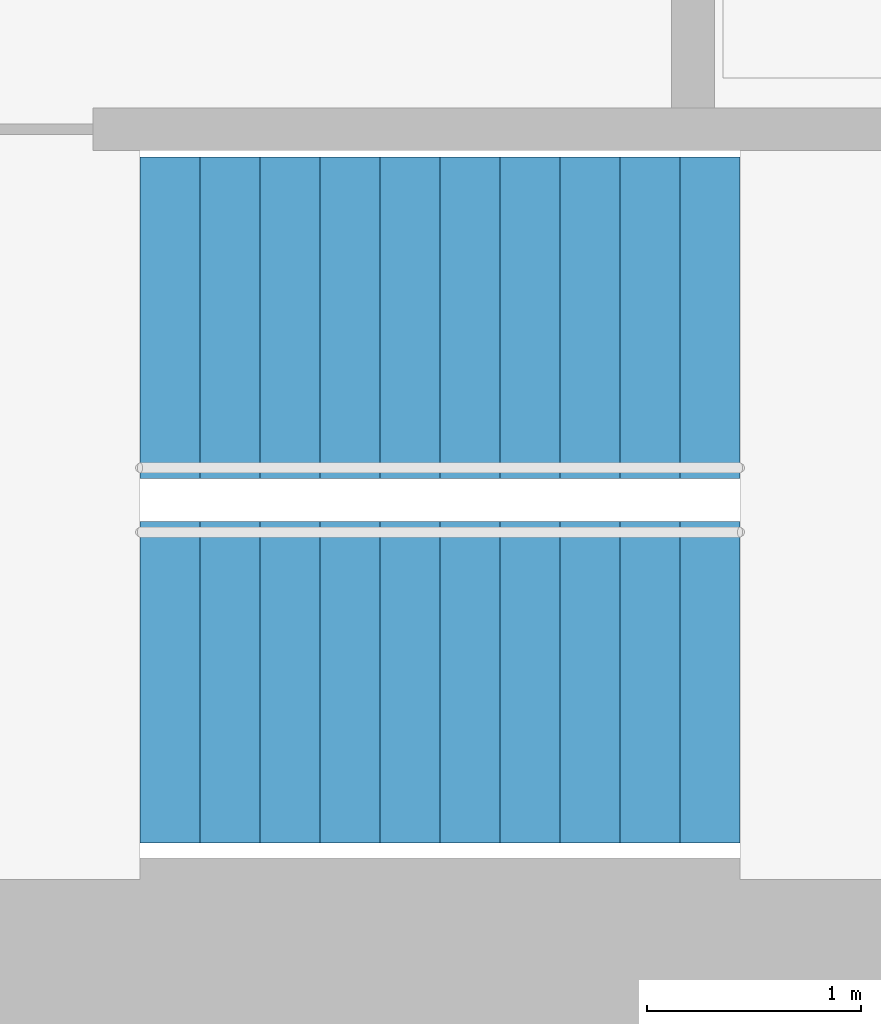
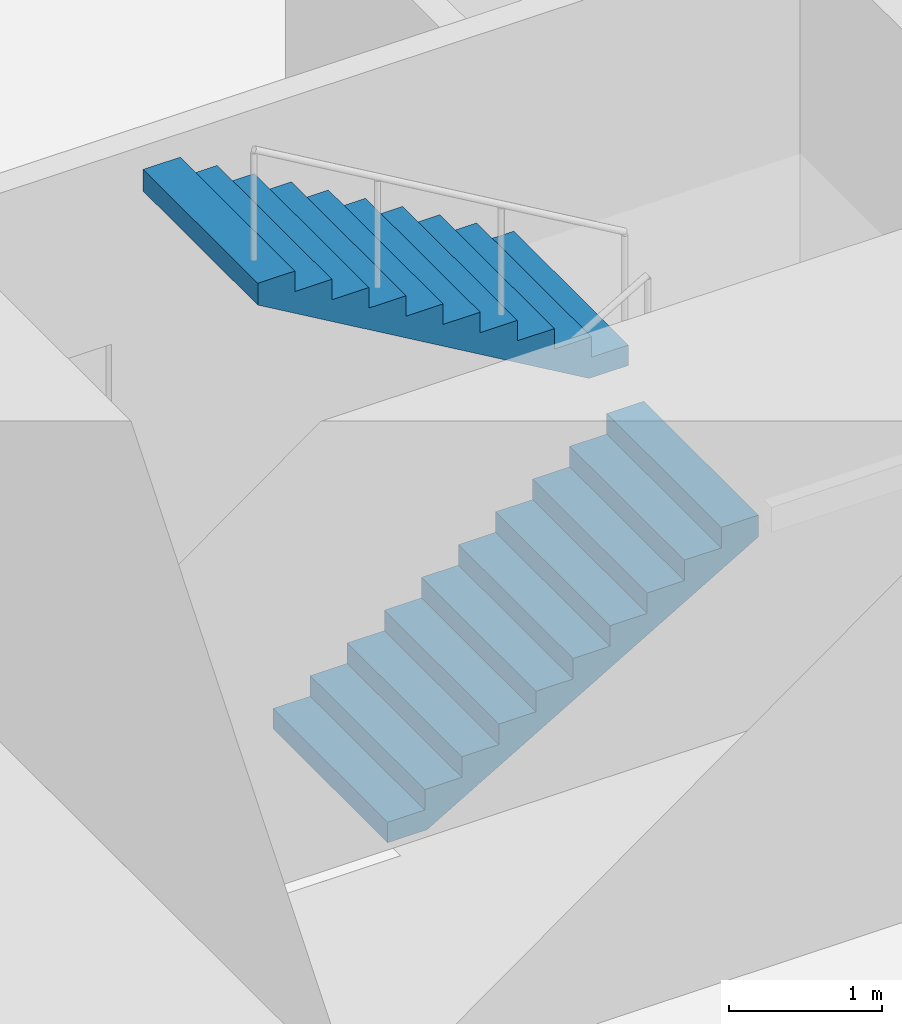
# One storey, part 13 of 15: 2 stair flights, 1 element without a shape of its own.
"""IFC4 building model written with IfcOpenShell, lengths in metres."""

import ifcopenshell
import ifcopenshell.guid

model = None  # the IFC model being written
_history = None  # IfcOwnerHistory: only IFC2X3 demands one
_inside = {}  # id of a spatial element -> (the spatial element, [elements in it])
_under = {}  # id of a project, library or spatial element -> (it, [spatial elements below it])
_declared = {}  # id of a project -> (the project, [libraries it declares])
_typed = {}  # id of a type object -> (the type object, [elements of that type])
_made_of = {}  # id of a material, layer set ... -> (it, [elements and type objects made of it])


def new_model(schema):
    """Start an empty IFC model of exactly this schema.

    Asked for "IFC4X3", IfcOpenShell would pick the latest addendum, in which some entities
    have other attributes; the version numbers below select the first issue.
    IFC2X3 requires an IfcOwnerHistory on every rooted entity: one is made here for all.
    """
    global model, _history
    if schema == "IFC4X3":
        model = ifcopenshell.file(schema_version=(4, 3, 0, 0))
    else:
        model = ifcopenshell.file(schema=schema)
    _inside.clear()
    _under.clear()
    _declared.clear()
    _typed.clear()
    _made_of.clear()
    _history = None
    if model.schema == "IFC2X3":
        org = make("IfcOrganization", Name="unknown")
        user = make(
            "IfcPersonAndOrganization",
            ThePerson=make("IfcPerson", FamilyName="unknown"),
            TheOrganization=org,
        )
        app = make(
            "IfcApplication",
            ApplicationDeveloper=org,
            Version="unknown",
            ApplicationFullName="unknown",
            ApplicationIdentifier="unknown",
        )
        _history = make(
            "IfcOwnerHistory",
            OwningUser=user,
            OwningApplication=app,
            ChangeAction="ADDED",
            CreationDate=0,
        )
    return model


def make(cls, **values):
    """One entity of the class cls with the attributes given. An attribute that is None is left unset."""
    return model.create_entity(
        cls, **{name: value for name, value in values.items() if value is not None}
    )


def rooted(cls, **values):
    """An entity with a GlobalId (a new one), such as an element, a storey or a relation."""
    return make(cls, GlobalId=ifcopenshell.guid.new(), OwnerHistory=_history, **values)


def si_unit(unit_type, name, prefix=None):
    """IfcSIUnit, for example si_unit("LENGTHUNIT", "METRE", prefix="MILLI")."""
    return make("IfcSIUnit", UnitType=unit_type, Prefix=prefix, Name=name)


def assignment(units):
    """IfcUnitAssignment: the units of a project."""
    return None if units is None else make("IfcUnitAssignment", Units=units)


def point(xyz):
    """IfcCartesianPoint."""
    return None if xyz is None else make("IfcCartesianPoint", Coordinates=xyz)


def direction(xyz):
    """IfcDirection."""
    return None if xyz is None else make("IfcDirection", DirectionRatios=xyz)


def frame(location, z_axis=None, x_axis=None):
    """IfcAxis2Placement3D, a coordinate frame: its origin and axes. An axis left out is left unset."""
    return make(
        "IfcAxis2Placement3D",
        Location=point(location),
        Axis=direction(z_axis),
        RefDirection=direction(x_axis),
    )


def origin():
    """The frame at (0, 0, 0) with its axes left unset."""
    return frame((0.0, 0.0, 0.0))


def place(relative_to, where):
    """IfcLocalPlacement: puts the frame where relative to a parent placement (None: the world)."""
    return make(
        "IfcLocalPlacement", PlacementRelTo=relative_to, RelativePlacement=where
    )


def context(
    kind, dimensions, precision=None, world=None, true_north=None, identifier=None
):
    """IfcGeometricRepresentationContext, for example the 3D "Model" context."""
    return make(
        "IfcGeometricRepresentationContext",
        ContextIdentifier=identifier,
        ContextType=kind,
        CoordinateSpaceDimension=dimensions,
        Precision=precision,
        WorldCoordinateSystem=world,
        TrueNorth=true_north,
    )


def subcontext(parent, identifier, kind, view, scale=None):
    """IfcGeometricRepresentationSubContext, for example "Body" below "Model"."""
    return make(
        "IfcGeometricRepresentationSubContext",
        ContextIdentifier=identifier,
        ContextType=kind,
        ParentContext=parent,
        TargetScale=scale,
        TargetView=view,
    )


def project(units=None, contexts=None):
    """IfcProject with its units and contexts."""
    return rooted(
        "IfcProject",
        Name="project",
        RepresentationContexts=contexts,
        UnitsInContext=assignment(units),
    )


def spatial(cls, under=None, at=None, **own):
    """A site, building, storey or space (cls), placed at a placement, below another one or the project."""
    s = rooted(cls, ObjectPlacement=at, **own)
    if under is not None:
        _under.setdefault(under.id(), (under, []))[1].append(s)
    return s


def point_list(points):
    """IfcCartesianPointList2D or 3D."""
    cls = (
        "IfcCartesianPointList2D" if len(points[0]) == 2 else "IfcCartesianPointList3D"
    )
    return make(cls, CoordList=points)


def triangles(points, corners, closed=None, point_numbers=None):
    """IfcTriangulatedFaceSet: each triangle names its three corners, points numbered from 1."""
    return make(
        "IfcTriangulatedFaceSet",
        Coordinates=point_list(points),
        Closed=closed,
        CoordIndex=corners,
        PnIndex=point_numbers,
    )


def shape(context_of_items, identifier, shape_type, items):
    """IfcShapeRepresentation: the items that make up one representation, for example the "Body"."""
    return make(
        "IfcShapeRepresentation",
        ContextOfItems=context_of_items,
        RepresentationIdentifier=identifier,
        RepresentationType=shape_type,
        Items=items,
    )


def material(Name=None, Category=None):
    """IfcMaterial."""
    return make("IfcMaterial", Name=Name, Category=Category)


def made_of(thing, what):
    """Note that an element or type object is made of a material, layer set ...; save() writes the relation."""
    if what is not None:
        _made_of.setdefault(what.id(), (what, []))[1].append(thing)
    return thing


def type_object(cls, material=None, **own):
    """A type object (cls), such as IfcWallType, which elements share."""
    return made_of(rooted(cls, **own), material)


def element(
    cls,
    number,
    at=None,
    inside=None,
    cuts=None,
    type_object=None,
    material=None,
    context=None,
    identifier="Body",
    shape_type=None,
    held_by="IfcProductDefinitionShape",
    body=None,
    shapes=None,
    **own,
):
    """One element of the class cls, such as IfcWall. Its Tag is "e" and its number.

    at: its placement. inside: the storey or other place that contains it. cuts: it is an
    opening in that element (IfcRelVoidsElement). A single representation is given by context,
    identifier, shape_type and body (its items); several are given by shapes. held_by: the class
    of the entity that holds the representations. save() writes the other relations.
    """
    e = rooted(cls, Tag="e%d" % number, ObjectPlacement=at, **own)
    if body is not None:
        shapes = [shape(context, identifier, shape_type, body)]
    if shapes is not None:
        e.Representation = make(held_by, Representations=shapes)
    if inside is not None:
        _inside.setdefault(inside.id(), (inside, []))[1].append(e)
    if cuts is not None:
        rooted(
            "IfcRelVoidsElement", RelatingBuildingElement=cuts, RelatedOpeningElement=e
        )
    if type_object is not None:
        _typed.setdefault(type_object.id(), (type_object, []))[1].append(e)
    return made_of(e, material)


def aggregate(whole, parts):
    """IfcRelAggregates: a whole, such as a stair, and the parts it consists of."""
    return rooted("IfcRelAggregates", RelatingObject=whole, RelatedObjects=parts)


def save(model, path):
    """Write the relations noted so far, then the file.

    IfcRelAggregates (storeys below a building ...), IfcRelContainedInSpatialStructure (elements
    in a storey), IfcRelDefinesByType, IfcRelAssociatesMaterial and IfcRelDeclares: one each for
    every whole, place, type object, material and project.
    """
    for whole, parts in _under.values():
        aggregate(whole, parts)
    for where, things in _inside.values():
        rooted(
            "IfcRelContainedInSpatialStructure",
            RelatedElements=things,
            RelatingStructure=where,
        )
    for kind, things in _typed.values():
        rooted("IfcRelDefinesByType", RelatedObjects=things, RelatingType=kind)
    for what, things in _made_of.values():
        rooted("IfcRelAssociatesMaterial", RelatedObjects=things, RelatingMaterial=what)
    for by, libraries in _declared.values():
        rooted("IfcRelDeclares", RelatingContext=by, RelatedDefinitions=libraries)
    model.write(path)


model = new_model("IFC4")

# Units and contexts
model_context = context("Model", 3, precision=1e-05, world=origin(), true_north=direction((0.0, 1.0)))
body_context = subcontext(model_context, "Body", "Model", "MODEL_VIEW")
ifc_project = project(units=[si_unit("LENGTHUNIT", "METRE"), si_unit("AREAUNIT", "SQUARE_METRE"), si_unit("VOLUMEUNIT", "CUBIC_METRE"), si_unit("PLANEANGLEUNIT", "RADIAN"), si_unit("MASSUNIT", "GRAM", prefix="KILO")], contexts=[model_context])

# Site, building, storey
site_placement = place(None, origin())
site = spatial("IfcSite", under=ifc_project, at=site_placement, CompositionType="ELEMENT")
building_placement = place(site_placement, origin())
building = spatial("IfcBuilding", under=site, at=building_placement, Name="Lantaw Convention Tower", CompositionType="ELEMENT")
storey_placement = place(building_placement, frame((0.0, 0.0, 83.800048828125)))
storey = spatial("IfcBuildingStorey", under=building, at=storey_placement, Name="L19", CompositionType="ELEMENT", Elevation=83.800048828125)

# Stair, stair flights
ifc_material = material(Name="Concrete C35/45", Category="concrete")
stair_type = type_object("IfcStairType", Name="Exit stair 1500 riser 163.64 in 2 flights", PredefinedType="HALF_TURN_STAIR", material=ifc_material)
stair_placement = place(storey_placement, origin())
stair = element("IfcStair", 1, at=stair_placement, inside=storey, type_object=stair_type, Name="Exit stair S1 L19", PredefinedType="HALF_TURN_STAIR")
stair_flight_type = type_object("IfcStairFlightType", Name="Stair flight 1500 riser 163.64", PredefinedType="STRAIGHT", material=ifc_material)
stair_flight_1_placement = place(storey_placement, frame((-10.580078125, -5.97998046875, 0.0), z_axis=(0.0, 0.0, 1.0), x_axis=(1.0, 0.0, 0.0)))
stair_flight_1 = element("IfcStairFlight", 2, at=stair_flight_1_placement, type_object=stair_flight_type, Name="S1 flight 1", NumberOfRisers=11, NumberOfTreads=10, PredefinedType="STRAIGHT", RiserHeight=0.163636364, TreadLength=0.28, context=body_context, shape_type="Tessellation", body=[
    triangles([(0.0, 0.75, 0.0), (0.0, 0.75, 0.163636364), (0.28, 0.75, 0.0), (0.28, 0.75, 0.163636364), (0.28, 0.75, 0.327272728), (0.2970904571225277, 0.75, 0.0), (0.2970904571225277, 0.75, 0.327272728), (0.56, 0.75, 0.1536484344906131), (0.56, 0.75, 0.327272728), (0.56, 0.75, 0.490909092), (0.8400000000000001, 0.75, 0.3172847984906131), (0.8400000000000001, 0.75, 0.490909092), (0.8400000000000001, 0.75, 0.654545456), (1.12, 0.75, 0.4809211624906131), (1.12, 0.75, 0.654545456), (1.12, 0.75, 0.8181818200000001), (1.4000000000000001, 0.75, 0.6445575264906132), (1.4000000000000001, 0.75, 0.8181818200000001), (1.4000000000000001, 0.75, 0.981818184), (1.6800000000000002, 0.75, 0.8081938904906131), (1.6800000000000002, 0.75, 0.981818184), (1.6800000000000002, 0.75, 1.145454548), (1.9600000000000002, 0.75, 0.9718302544906131), (1.9600000000000002, 0.75, 1.145454548), (1.9600000000000002, 0.75, 1.309090912), (2.24, 0.75, 1.135466618490613), (2.24, 0.75, 1.309090912), (2.24, 0.75, 1.472727276), (2.5200000000000005, 0.75, 1.2991029824906133), (2.5200000000000005, 0.75, 1.472727276), (2.5200000000000005, 0.75, 1.6363636400000001), (2.8000000000000003, 0.75, 1.462739346490613), (2.8000000000000003, 0.75, 1.6363636400000001), (0.0, -0.75, 0.0), (0.0, -0.75, 0.163636364), (0.28, -0.75, 0.0), (0.28, -0.75, 0.163636364), (0.28, -0.75, 0.327272728), (0.2970904571225277, -0.75, 0.0), (0.2970904571225277, -0.75, 0.327272728), (0.56, -0.75, 0.1536484344906131), (0.56, -0.75, 0.327272728), (0.56, -0.75, 0.490909092), (0.8400000000000001, -0.75, 0.3172847984906131), (0.8400000000000001, -0.75, 0.490909092), (0.8400000000000001, -0.75, 0.654545456), (1.12, -0.75, 0.4809211624906131), (1.12, -0.75, 0.654545456), (1.12, -0.75, 0.8181818200000001), (1.4000000000000001, -0.75, 0.6445575264906132), (1.4000000000000001, -0.75, 0.8181818200000001), (1.4000000000000001, -0.75, 0.981818184), (1.6800000000000002, -0.75, 0.8081938904906131), (1.6800000000000002, -0.75, 0.981818184), (1.6800000000000002, -0.75, 1.145454548), (1.9600000000000002, -0.75, 0.9718302544906131), (1.9600000000000002, -0.75, 1.145454548), (1.9600000000000002, -0.75, 1.309090912), (2.24, -0.75, 1.135466618490613), (2.24, -0.75, 1.309090912), (2.24, -0.75, 1.472727276), (2.5200000000000005, -0.75, 1.2991029824906133), (2.5200000000000005, -0.75, 1.472727276), (2.5200000000000005, -0.75, 1.6363636400000001), (2.8000000000000003, -0.75, 1.462739346490613), (2.8000000000000003, -0.75, 1.6363636400000001), (0.0, 0.15000000000000002, 0.163636364), (0.0, 0.15000000000000002, 0.0), (0.0, 0.0, 0.163636364), (0.0, 0.0, 0.0), (0.0, -0.15000000000000002, 0.163636364), (0.0, -0.15000000000000002, 0.0), (0.28, 0.15000000000000002, 0.327272728), (0.28, 0.15000000000000002, 0.163636364), (0.28, 0.0, 0.327272728), (0.28, 0.0, 0.163636364), (0.28, -0.15000000000000002, 0.327272728), (0.28, -0.15000000000000002, 0.163636364), (0.56, 0.15000000000000002, 0.490909092), (0.56, 0.15000000000000002, 0.327272728), (0.56, 0.0, 0.490909092), (0.56, 0.0, 0.327272728), (0.56, -0.15000000000000002, 0.490909092), (0.56, -0.15000000000000002, 0.327272728), (0.8400000000000001, 0.15000000000000002, 0.654545456), (0.8400000000000001, 0.15000000000000002, 0.490909092), (0.8400000000000001, 0.0, 0.654545456), (0.8400000000000001, 0.0, 0.490909092), (0.8400000000000001, -0.15000000000000002, 0.654545456), (0.8400000000000001, -0.15000000000000002, 0.490909092), (1.12, 0.15000000000000002, 0.8181818200000001), (1.12, 0.15000000000000002, 0.654545456), (1.12, 0.0, 0.8181818200000001), (1.12, 0.0, 0.654545456), (1.12, -0.15000000000000002, 0.8181818200000001), (1.12, -0.15000000000000002, 0.654545456), (1.4000000000000001, 0.15000000000000002, 0.981818184), (1.4000000000000001, 0.15000000000000002, 0.8181818200000001), (1.4000000000000001, 0.0, 0.981818184), (1.4000000000000001, 0.0, 0.8181818200000001), (1.4000000000000001, -0.15000000000000002, 0.981818184), (1.4000000000000001, -0.15000000000000002, 0.8181818200000001), (1.6800000000000002, 0.15000000000000002, 1.145454548), (1.6800000000000002, 0.15000000000000002, 0.981818184), (1.6800000000000002, 0.0, 1.145454548), (1.6800000000000002, 0.0, 0.981818184), (1.6800000000000002, -0.15000000000000002, 1.145454548), (1.6800000000000002, -0.15000000000000002, 0.981818184), (1.9600000000000002, 0.15000000000000002, 1.309090912), (1.9600000000000002, 0.15000000000000002, 1.145454548), (1.9600000000000002, 0.0, 1.309090912), (1.9600000000000002, 0.0, 1.145454548), (1.9600000000000002, -0.15000000000000002, 1.309090912), (1.9600000000000002, -0.15000000000000002, 1.145454548), (2.24, 0.15000000000000002, 1.472727276), (2.24, 0.15000000000000002, 1.309090912), (2.24, 0.0, 1.472727276), (2.24, 0.0, 1.309090912), (2.24, -0.15000000000000002, 1.472727276), (2.24, -0.15000000000000002, 1.309090912), (2.5200000000000005, 0.15000000000000002, 1.6363636400000001), (2.5200000000000005, 0.15000000000000002, 1.472727276), (2.5200000000000005, 0.0, 1.6363636400000001), (2.5200000000000005, 0.0, 1.472727276), (2.5200000000000005, -0.15000000000000002, 1.6363636400000001), (2.5200000000000005, -0.15000000000000002, 1.472727276), (0.2970904571225277, 0.15000000000000002, 0.327272728), (0.2970904571225277, 0.0, 0.327272728), (0.2970904571225277, -0.15000000000000002, 0.327272728), (2.8000000000000003, 0.15000000000000002, 1.6363636400000001), (2.8000000000000003, 0.0, 1.6363636400000001), (2.8000000000000003, -0.15000000000000002, 1.6363636400000001), (2.8000000000000003, 0.15000000000000002, 1.462739346490613), (2.8000000000000003, 0.0, 1.462739346490613), (2.8000000000000003, -0.15000000000000002, 1.462739346490613), (2.5200000000000005, 0.15000000000000002, 1.2991029824906133), (2.5200000000000005, 0.0, 1.2991029824906133), (2.5200000000000005, -0.15000000000000002, 1.2991029824906133), (2.24, 0.15000000000000002, 1.135466618490613), (2.24, 0.0, 1.135466618490613), (2.24, -0.15000000000000002, 1.135466618490613), (1.9600000000000002, 0.15000000000000002, 0.9718302544906131), (1.9600000000000002, 0.0, 0.9718302544906131), (1.9600000000000002, -0.15000000000000002, 0.9718302544906131), (1.6800000000000002, 0.15000000000000002, 0.8081938904906131), (1.6800000000000002, 0.0, 0.8081938904906131), (1.6800000000000002, -0.15000000000000002, 0.8081938904906131), (1.4000000000000001, 0.15000000000000002, 0.6445575264906132), (1.4000000000000001, 0.0, 0.6445575264906132), (1.4000000000000001, -0.15000000000000002, 0.6445575264906132), (1.12, 0.15000000000000002, 0.4809211624906131), (1.12, 0.0, 0.4809211624906131), (1.12, -0.15000000000000002, 0.4809211624906131), (0.8400000000000001, 0.15000000000000002, 0.3172847984906131), (0.8400000000000001, 0.0, 0.3172847984906131), (0.8400000000000001, -0.15000000000000002, 0.3172847984906131), (0.56, 0.15000000000000002, 0.1536484344906131), (0.56, 0.0, 0.1536484344906131), (0.56, -0.15000000000000002, 0.1536484344906131), (0.2970904571225277, 0.15000000000000002, 0.0), (0.2970904571225277, 0.0, 0.0), (0.2970904571225277, -0.15000000000000002, 0.0), (0.28, 0.15000000000000002, 0.0), (0.28, 0.0, 0.0), (0.28, -0.15000000000000002, 0.0)], [[1, 4, 3], [1, 2, 4], [3, 4, 6], [4, 7, 6], [4, 5, 7], [6, 9, 8], [6, 7, 9], [8, 9, 11], [9, 12, 11], [9, 10, 12], [11, 12, 14], [12, 15, 14], [12, 13, 15], [14, 15, 17], [15, 18, 17], [15, 16, 18], [17, 18, 20], [18, 21, 20], [18, 19, 21], [20, 21, 23], [21, 24, 23], [21, 22, 24], [23, 24, 26], [24, 27, 26], [24, 25, 27], [26, 27, 29], [27, 30, 29], [27, 28, 30], [29, 30, 32], [30, 33, 32], [30, 31, 33], [34, 36, 37], [34, 37, 35], [36, 39, 37], [37, 39, 40], [37, 40, 38], [39, 41, 42], [39, 42, 40], [41, 44, 42], [42, 44, 45], [42, 45, 43], [44, 47, 45], [45, 47, 48], [45, 48, 46], [47, 50, 48], [48, 50, 51], [48, 51, 49], [50, 53, 51], [51, 53, 54], [51, 54, 52], [53, 56, 54], [54, 56, 57], [54, 57, 55], [56, 59, 57], [57, 59, 60], [57, 60, 58], [59, 62, 60], [60, 62, 63], [60, 63, 61], [62, 65, 63], [63, 65, 66], [63, 66, 64], [1, 67, 2], [1, 68, 67], [68, 69, 67], [68, 70, 69], [70, 71, 69], [70, 72, 71], [72, 35, 71], [72, 34, 35], [4, 73, 5], [4, 74, 73], [74, 75, 73], [74, 76, 75], [76, 77, 75], [76, 78, 77], [78, 38, 77], [78, 37, 38], [9, 79, 10], [9, 80, 79], [80, 81, 79], [80, 82, 81], [82, 83, 81], [82, 84, 83], [84, 43, 83], [84, 42, 43], [12, 85, 13], [12, 86, 85], [86, 87, 85], [86, 88, 87], [88, 89, 87], [88, 90, 89], [90, 46, 89], [90, 45, 46], [15, 91, 16], [15, 92, 91], [92, 93, 91], [92, 94, 93], [94, 95, 93], [94, 96, 95], [96, 49, 95], [96, 48, 49], [18, 97, 19], [18, 98, 97], [98, 99, 97], [98, 100, 99], [100, 101, 99], [100, 102, 101], [102, 52, 101], [102, 51, 52], [21, 103, 22], [21, 104, 103], [104, 105, 103], [104, 106, 105], [106, 107, 105], [106, 108, 107], [108, 55, 107], [108, 54, 55], [24, 109, 25], [24, 110, 109], [110, 111, 109], [110, 112, 111], [112, 113, 111], [112, 114, 113], [114, 58, 113], [114, 57, 58], [27, 115, 28], [27, 116, 115], [116, 117, 115], [116, 118, 117], [118, 119, 117], [118, 120, 119], [120, 61, 119], [120, 60, 61], [30, 121, 31], [30, 122, 121], [122, 123, 121], [122, 124, 123], [124, 125, 123], [124, 126, 125], [126, 64, 125], [126, 63, 64], [2, 74, 4], [2, 67, 74], [67, 76, 74], [67, 69, 76], [69, 78, 76], [69, 71, 78], [71, 37, 78], [71, 35, 37], [5, 127, 7], [5, 73, 127], [73, 128, 127], [73, 75, 128], [75, 129, 128], [75, 77, 129], [77, 40, 129], [77, 38, 40], [7, 80, 9], [7, 127, 80], [127, 82, 80], [127, 128, 82], [128, 84, 82], [128, 129, 84], [129, 42, 84], [129, 40, 42], [10, 86, 12], [10, 79, 86], [79, 88, 86], [79, 81, 88], [81, 90, 88], [81, 83, 90], [83, 45, 90], [83, 43, 45], [13, 92, 15], [13, 85, 92], [85, 94, 92], [85, 87, 94], [87, 96, 94], [87, 89, 96], [89, 48, 96], [89, 46, 48], [16, 98, 18], [16, 91, 98], [91, 100, 98], [91, 93, 100], [93, 102, 100], [93, 95, 102], [95, 51, 102], [95, 49, 51], [19, 104, 21], [19, 97, 104], [97, 106, 104], [97, 99, 106], [99, 108, 106], [99, 101, 108], [101, 54, 108], [101, 52, 54], [22, 110, 24], [22, 103, 110], [103, 112, 110], [103, 105, 112], [105, 114, 112], [105, 107, 114], [107, 57, 114], [107, 55, 57], [25, 116, 27], [25, 109, 116], [109, 118, 116], [109, 111, 118], [111, 120, 118], [111, 113, 120], [113, 60, 120], [113, 58, 60], [28, 122, 30], [28, 115, 122], [115, 124, 122], [115, 117, 124], [117, 126, 124], [117, 119, 126], [119, 63, 126], [119, 61, 63], [31, 130, 33], [31, 121, 130], [121, 131, 130], [121, 123, 131], [123, 132, 131], [123, 125, 132], [125, 66, 132], [125, 64, 66], [33, 133, 32], [33, 130, 133], [130, 134, 133], [130, 131, 134], [131, 135, 134], [131, 132, 135], [132, 65, 135], [132, 66, 65], [32, 136, 29], [32, 133, 136], [133, 137, 136], [133, 134, 137], [134, 138, 137], [134, 135, 138], [135, 62, 138], [135, 65, 62], [29, 139, 26], [29, 136, 139], [136, 140, 139], [136, 137, 140], [137, 141, 140], [137, 138, 141], [138, 59, 141], [138, 62, 59], [26, 142, 23], [26, 139, 142], [139, 143, 142], [139, 140, 143], [140, 144, 143], [140, 141, 144], [141, 56, 144], [141, 59, 56], [23, 145, 20], [23, 142, 145], [142, 146, 145], [142, 143, 146], [143, 147, 146], [143, 144, 147], [144, 53, 147], [144, 56, 53], [20, 148, 17], [20, 145, 148], [145, 149, 148], [145, 146, 149], [146, 150, 149], [146, 147, 150], [147, 50, 150], [147, 53, 50], [17, 151, 14], [17, 148, 151], [148, 152, 151], [148, 149, 152], [149, 153, 152], [149, 150, 153], [150, 47, 153], [150, 50, 47], [14, 154, 11], [14, 151, 154], [151, 155, 154], [151, 152, 155], [152, 156, 155], [152, 153, 156], [153, 44, 156], [153, 47, 44], [11, 157, 8], [11, 154, 157], [154, 158, 157], [154, 155, 158], [155, 159, 158], [155, 156, 159], [156, 41, 159], [156, 44, 41], [8, 160, 6], [8, 157, 160], [157, 161, 160], [157, 158, 161], [158, 162, 161], [158, 159, 162], [159, 39, 162], [159, 41, 39], [6, 163, 3], [6, 160, 163], [160, 164, 163], [160, 161, 164], [161, 165, 164], [161, 162, 165], [162, 36, 165], [162, 39, 36], [3, 68, 1], [3, 163, 68], [163, 70, 68], [163, 164, 70], [164, 72, 70], [164, 165, 72], [165, 34, 72], [165, 36, 34]], closed=True),
])
stair_flight_2_placement = place(storey_placement, frame((-7.780029296875, -4.280029296875, 1.800048828125), z_axis=(0.0, 0.0, 1.0), x_axis=(-1.0, 0.0, 0.0)))
stair_flight_2 = element("IfcStairFlight", 3, at=stair_flight_2_placement, type_object=stair_flight_type, Name="S1 flight 2", NumberOfRisers=11, NumberOfTreads=10, PredefinedType="STRAIGHT", RiserHeight=0.163636364, TreadLength=0.28, context=body_context, shape_type="Tessellation", body=[
    triangles([(0.0, 0.75, 0.0), (0.0, 0.75, 0.163636364), (0.28, 0.75, 0.0), (0.28, 0.75, 0.163636364), (0.28, 0.75, 0.327272728), (0.2970904571225277, 0.75, 0.0), (0.2970904571225277, 0.75, 0.327272728), (0.56, 0.75, 0.1536484344906131), (0.56, 0.75, 0.327272728), (0.56, 0.75, 0.490909092), (0.8400000000000001, 0.75, 0.3172847984906131), (0.8400000000000001, 0.75, 0.490909092), (0.8400000000000001, 0.75, 0.654545456), (1.12, 0.75, 0.4809211624906131), (1.12, 0.75, 0.654545456), (1.12, 0.75, 0.8181818200000001), (1.4000000000000001, 0.75, 0.6445575264906132), (1.4000000000000001, 0.75, 0.8181818200000001), (1.4000000000000001, 0.75, 0.981818184), (1.6800000000000002, 0.75, 0.8081938904906131), (1.6800000000000002, 0.75, 0.981818184), (1.6800000000000002, 0.75, 1.145454548), (1.9600000000000002, 0.75, 0.9718302544906131), (1.9600000000000002, 0.75, 1.145454548), (1.9600000000000002, 0.75, 1.309090912), (2.24, 0.75, 1.135466618490613), (2.24, 0.75, 1.309090912), (2.24, 0.75, 1.472727276), (2.5200000000000005, 0.75, 1.2991029824906133), (2.5200000000000005, 0.75, 1.472727276), (2.5200000000000005, 0.75, 1.6363636400000001), (2.8000000000000003, 0.75, 1.462739346490613), (2.8000000000000003, 0.75, 1.6363636400000001), (0.0, -0.75, 0.0), (0.0, -0.75, 0.163636364), (0.28, -0.75, 0.0), (0.28, -0.75, 0.163636364), (0.28, -0.75, 0.327272728), (0.2970904571225277, -0.75, 0.0), (0.2970904571225277, -0.75, 0.327272728), (0.56, -0.75, 0.1536484344906131), (0.56, -0.75, 0.327272728), (0.56, -0.75, 0.490909092), (0.8400000000000001, -0.75, 0.3172847984906131), (0.8400000000000001, -0.75, 0.490909092), (0.8400000000000001, -0.75, 0.654545456), (1.12, -0.75, 0.4809211624906131), (1.12, -0.75, 0.654545456), (1.12, -0.75, 0.8181818200000001), (1.4000000000000001, -0.75, 0.6445575264906132), (1.4000000000000001, -0.75, 0.8181818200000001), (1.4000000000000001, -0.75, 0.981818184), (1.6800000000000002, -0.75, 0.8081938904906131), (1.6800000000000002, -0.75, 0.981818184), (1.6800000000000002, -0.75, 1.145454548), (1.9600000000000002, -0.75, 0.9718302544906131), (1.9600000000000002, -0.75, 1.145454548), (1.9600000000000002, -0.75, 1.309090912), (2.24, -0.75, 1.135466618490613), (2.24, -0.75, 1.309090912), (2.24, -0.75, 1.472727276), (2.5200000000000005, -0.75, 1.2991029824906133), (2.5200000000000005, -0.75, 1.472727276), (2.5200000000000005, -0.75, 1.6363636400000001), (2.8000000000000003, -0.75, 1.462739346490613), (2.8000000000000003, -0.75, 1.6363636400000001), (0.0, 0.15000000000000002, 0.163636364), (0.0, 0.15000000000000002, 0.0), (0.0, 0.0, 0.163636364), (0.0, 0.0, 0.0), (0.0, -0.15000000000000002, 0.163636364), (0.0, -0.15000000000000002, 0.0), (0.28, 0.15000000000000002, 0.327272728), (0.28, 0.15000000000000002, 0.163636364), (0.28, 0.0, 0.327272728), (0.28, 0.0, 0.163636364), (0.28, -0.15000000000000002, 0.327272728), (0.28, -0.15000000000000002, 0.163636364), (0.56, 0.15000000000000002, 0.490909092), (0.56, 0.15000000000000002, 0.327272728), (0.56, 0.0, 0.490909092), (0.56, 0.0, 0.327272728), (0.56, -0.15000000000000002, 0.490909092), (0.56, -0.15000000000000002, 0.327272728), (0.8400000000000001, 0.15000000000000002, 0.654545456), (0.8400000000000001, 0.15000000000000002, 0.490909092), (0.8400000000000001, 0.0, 0.654545456), (0.8400000000000001, 0.0, 0.490909092), (0.8400000000000001, -0.15000000000000002, 0.654545456), (0.8400000000000001, -0.15000000000000002, 0.490909092), (1.12, 0.15000000000000002, 0.8181818200000001), (1.12, 0.15000000000000002, 0.654545456), (1.12, 0.0, 0.8181818200000001), (1.12, 0.0, 0.654545456), (1.12, -0.15000000000000002, 0.8181818200000001), (1.12, -0.15000000000000002, 0.654545456), (1.4000000000000001, 0.15000000000000002, 0.981818184), (1.4000000000000001, 0.15000000000000002, 0.8181818200000001), (1.4000000000000001, 0.0, 0.981818184), (1.4000000000000001, 0.0, 0.8181818200000001), (1.4000000000000001, -0.15000000000000002, 0.981818184), (1.4000000000000001, -0.15000000000000002, 0.8181818200000001), (1.6800000000000002, 0.15000000000000002, 1.145454548), (1.6800000000000002, 0.15000000000000002, 0.981818184), (1.6800000000000002, 0.0, 1.145454548), (1.6800000000000002, 0.0, 0.981818184), (1.6800000000000002, -0.15000000000000002, 1.145454548), (1.6800000000000002, -0.15000000000000002, 0.981818184), (1.9600000000000002, 0.15000000000000002, 1.309090912), (1.9600000000000002, 0.15000000000000002, 1.145454548), (1.9600000000000002, 0.0, 1.309090912), (1.9600000000000002, 0.0, 1.145454548), (1.9600000000000002, -0.15000000000000002, 1.309090912), (1.9600000000000002, -0.15000000000000002, 1.145454548), (2.24, 0.15000000000000002, 1.472727276), (2.24, 0.15000000000000002, 1.309090912), (2.24, 0.0, 1.472727276), (2.24, 0.0, 1.309090912), (2.24, -0.15000000000000002, 1.472727276), (2.24, -0.15000000000000002, 1.309090912), (2.5200000000000005, 0.15000000000000002, 1.6363636400000001), (2.5200000000000005, 0.15000000000000002, 1.472727276), (2.5200000000000005, 0.0, 1.6363636400000001), (2.5200000000000005, 0.0, 1.472727276), (2.5200000000000005, -0.15000000000000002, 1.6363636400000001), (2.5200000000000005, -0.15000000000000002, 1.472727276), (0.2970904571225277, 0.15000000000000002, 0.327272728), (0.2970904571225277, 0.0, 0.327272728), (0.2970904571225277, -0.15000000000000002, 0.327272728), (2.8000000000000003, 0.15000000000000002, 1.6363636400000001), (2.8000000000000003, 0.0, 1.6363636400000001), (2.8000000000000003, -0.15000000000000002, 1.6363636400000001), (2.8000000000000003, 0.15000000000000002, 1.462739346490613), (2.8000000000000003, 0.0, 1.462739346490613), (2.8000000000000003, -0.15000000000000002, 1.462739346490613), (2.5200000000000005, 0.15000000000000002, 1.2991029824906133), (2.5200000000000005, 0.0, 1.2991029824906133), (2.5200000000000005, -0.15000000000000002, 1.2991029824906133), (2.24, 0.15000000000000002, 1.135466618490613), (2.24, 0.0, 1.135466618490613), (2.24, -0.15000000000000002, 1.135466618490613), (1.9600000000000002, 0.15000000000000002, 0.9718302544906131), (1.9600000000000002, 0.0, 0.9718302544906131), (1.9600000000000002, -0.15000000000000002, 0.9718302544906131), (1.6800000000000002, 0.15000000000000002, 0.8081938904906131), (1.6800000000000002, 0.0, 0.8081938904906131), (1.6800000000000002, -0.15000000000000002, 0.8081938904906131), (1.4000000000000001, 0.15000000000000002, 0.6445575264906132), (1.4000000000000001, 0.0, 0.6445575264906132), (1.4000000000000001, -0.15000000000000002, 0.6445575264906132), (1.12, 0.15000000000000002, 0.4809211624906131), (1.12, 0.0, 0.4809211624906131), (1.12, -0.15000000000000002, 0.4809211624906131), (0.8400000000000001, 0.15000000000000002, 0.3172847984906131), (0.8400000000000001, 0.0, 0.3172847984906131), (0.8400000000000001, -0.15000000000000002, 0.3172847984906131), (0.56, 0.15000000000000002, 0.1536484344906131), (0.56, 0.0, 0.1536484344906131), (0.56, -0.15000000000000002, 0.1536484344906131), (0.2970904571225277, 0.15000000000000002, 0.0), (0.2970904571225277, 0.0, 0.0), (0.2970904571225277, -0.15000000000000002, 0.0), (0.28, 0.15000000000000002, 0.0), (0.28, 0.0, 0.0), (0.28, -0.15000000000000002, 0.0)], [[1, 4, 3], [1, 2, 4], [3, 4, 6], [4, 7, 6], [4, 5, 7], [6, 9, 8], [6, 7, 9], [8, 9, 11], [9, 12, 11], [9, 10, 12], [11, 12, 14], [12, 15, 14], [12, 13, 15], [14, 15, 17], [15, 18, 17], [15, 16, 18], [17, 18, 20], [18, 21, 20], [18, 19, 21], [20, 21, 23], [21, 24, 23], [21, 22, 24], [23, 24, 26], [24, 27, 26], [24, 25, 27], [26, 27, 29], [27, 30, 29], [27, 28, 30], [29, 30, 32], [30, 33, 32], [30, 31, 33], [34, 36, 37], [34, 37, 35], [36, 39, 37], [37, 39, 40], [37, 40, 38], [39, 41, 42], [39, 42, 40], [41, 44, 42], [42, 44, 45], [42, 45, 43], [44, 47, 45], [45, 47, 48], [45, 48, 46], [47, 50, 48], [48, 50, 51], [48, 51, 49], [50, 53, 51], [51, 53, 54], [51, 54, 52], [53, 56, 54], [54, 56, 57], [54, 57, 55], [56, 59, 57], [57, 59, 60], [57, 60, 58], [59, 62, 60], [60, 62, 63], [60, 63, 61], [62, 65, 63], [63, 65, 66], [63, 66, 64], [1, 67, 2], [1, 68, 67], [68, 69, 67], [68, 70, 69], [70, 71, 69], [70, 72, 71], [72, 35, 71], [72, 34, 35], [4, 73, 5], [4, 74, 73], [74, 75, 73], [74, 76, 75], [76, 77, 75], [76, 78, 77], [78, 38, 77], [78, 37, 38], [9, 79, 10], [9, 80, 79], [80, 81, 79], [80, 82, 81], [82, 83, 81], [82, 84, 83], [84, 43, 83], [84, 42, 43], [12, 85, 13], [12, 86, 85], [86, 87, 85], [86, 88, 87], [88, 89, 87], [88, 90, 89], [90, 46, 89], [90, 45, 46], [15, 91, 16], [15, 92, 91], [92, 93, 91], [92, 94, 93], [94, 95, 93], [94, 96, 95], [96, 49, 95], [96, 48, 49], [18, 97, 19], [18, 98, 97], [98, 99, 97], [98, 100, 99], [100, 101, 99], [100, 102, 101], [102, 52, 101], [102, 51, 52], [21, 103, 22], [21, 104, 103], [104, 105, 103], [104, 106, 105], [106, 107, 105], [106, 108, 107], [108, 55, 107], [108, 54, 55], [24, 109, 25], [24, 110, 109], [110, 111, 109], [110, 112, 111], [112, 113, 111], [112, 114, 113], [114, 58, 113], [114, 57, 58], [27, 115, 28], [27, 116, 115], [116, 117, 115], [116, 118, 117], [118, 119, 117], [118, 120, 119], [120, 61, 119], [120, 60, 61], [30, 121, 31], [30, 122, 121], [122, 123, 121], [122, 124, 123], [124, 125, 123], [124, 126, 125], [126, 64, 125], [126, 63, 64], [2, 74, 4], [2, 67, 74], [67, 76, 74], [67, 69, 76], [69, 78, 76], [69, 71, 78], [71, 37, 78], [71, 35, 37], [5, 127, 7], [5, 73, 127], [73, 128, 127], [73, 75, 128], [75, 129, 128], [75, 77, 129], [77, 40, 129], [77, 38, 40], [7, 80, 9], [7, 127, 80], [127, 82, 80], [127, 128, 82], [128, 84, 82], [128, 129, 84], [129, 42, 84], [129, 40, 42], [10, 86, 12], [10, 79, 86], [79, 88, 86], [79, 81, 88], [81, 90, 88], [81, 83, 90], [83, 45, 90], [83, 43, 45], [13, 92, 15], [13, 85, 92], [85, 94, 92], [85, 87, 94], [87, 96, 94], [87, 89, 96], [89, 48, 96], [89, 46, 48], [16, 98, 18], [16, 91, 98], [91, 100, 98], [91, 93, 100], [93, 102, 100], [93, 95, 102], [95, 51, 102], [95, 49, 51], [19, 104, 21], [19, 97, 104], [97, 106, 104], [97, 99, 106], [99, 108, 106], [99, 101, 108], [101, 54, 108], [101, 52, 54], [22, 110, 24], [22, 103, 110], [103, 112, 110], [103, 105, 112], [105, 114, 112], [105, 107, 114], [107, 57, 114], [107, 55, 57], [25, 116, 27], [25, 109, 116], [109, 118, 116], [109, 111, 118], [111, 120, 118], [111, 113, 120], [113, 60, 120], [113, 58, 60], [28, 122, 30], [28, 115, 122], [115, 124, 122], [115, 117, 124], [117, 126, 124], [117, 119, 126], [119, 63, 126], [119, 61, 63], [31, 130, 33], [31, 121, 130], [121, 131, 130], [121, 123, 131], [123, 132, 131], [123, 125, 132], [125, 66, 132], [125, 64, 66], [33, 133, 32], [33, 130, 133], [130, 134, 133], [130, 131, 134], [131, 135, 134], [131, 132, 135], [132, 65, 135], [132, 66, 65], [32, 136, 29], [32, 133, 136], [133, 137, 136], [133, 134, 137], [134, 138, 137], [134, 135, 138], [135, 62, 138], [135, 65, 62], [29, 139, 26], [29, 136, 139], [136, 140, 139], [136, 137, 140], [137, 141, 140], [137, 138, 141], [138, 59, 141], [138, 62, 59], [26, 142, 23], [26, 139, 142], [139, 143, 142], [139, 140, 143], [140, 144, 143], [140, 141, 144], [141, 56, 144], [141, 59, 56], [23, 145, 20], [23, 142, 145], [142, 146, 145], [142, 143, 146], [143, 147, 146], [143, 144, 147], [144, 53, 147], [144, 56, 53], [20, 148, 17], [20, 145, 148], [145, 149, 148], [145, 146, 149], [146, 150, 149], [146, 147, 150], [147, 50, 150], [147, 53, 50], [17, 151, 14], [17, 148, 151], [148, 152, 151], [148, 149, 152], [149, 153, 152], [149, 150, 153], [150, 47, 153], [150, 50, 47], [14, 154, 11], [14, 151, 154], [151, 155, 154], [151, 152, 155], [152, 156, 155], [152, 153, 156], [153, 44, 156], [153, 47, 44], [11, 157, 8], [11, 154, 157], [154, 158, 157], [154, 155, 158], [155, 159, 158], [155, 156, 159], [156, 41, 159], [156, 44, 41], [8, 160, 6], [8, 157, 160], [157, 161, 160], [157, 158, 161], [158, 162, 161], [158, 159, 162], [159, 39, 162], [159, 41, 39], [6, 163, 3], [6, 160, 163], [160, 164, 163], [160, 161, 164], [161, 165, 164], [161, 162, 165], [162, 36, 165], [162, 39, 36], [3, 68, 1], [3, 163, 68], [163, 70, 68], [163, 164, 70], [164, 72, 70], [164, 165, 72], [165, 34, 72], [165, 36, 34]], closed=True),
])
aggregate(stair, [stair_flight_1, stair_flight_2])

save(model, "model.ifc")
